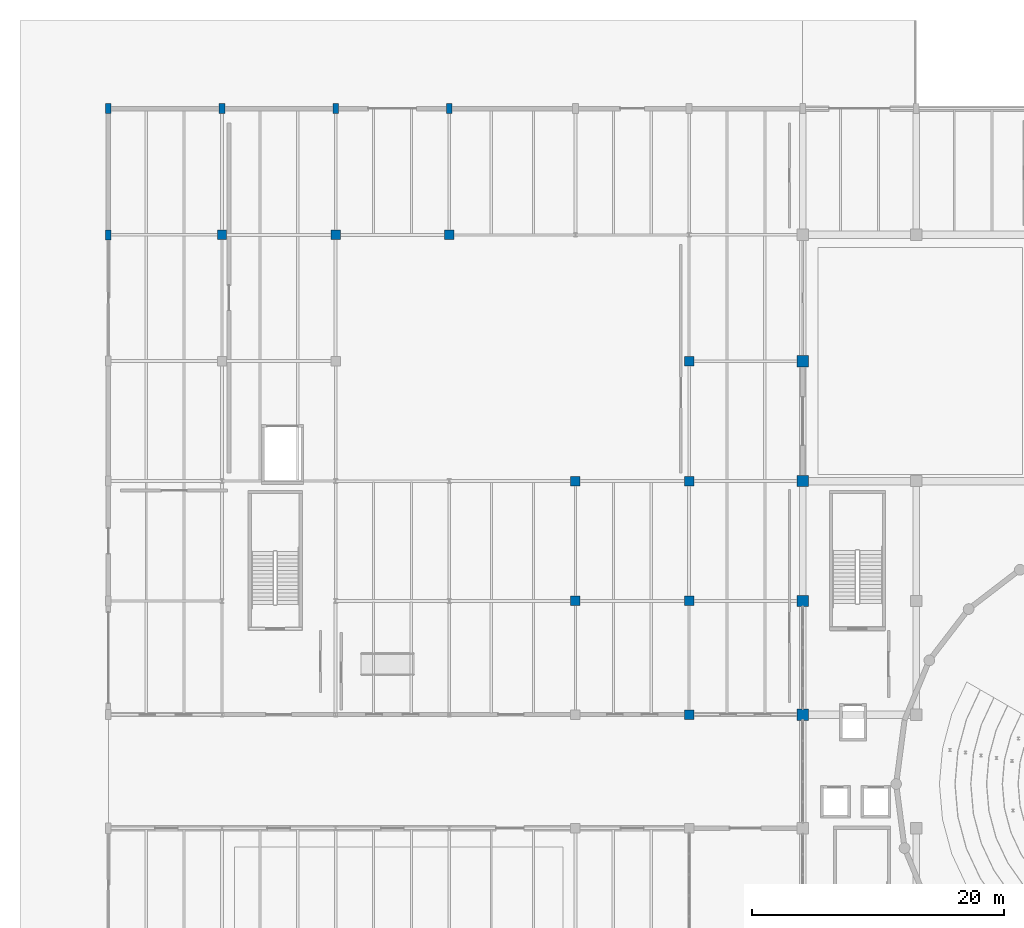
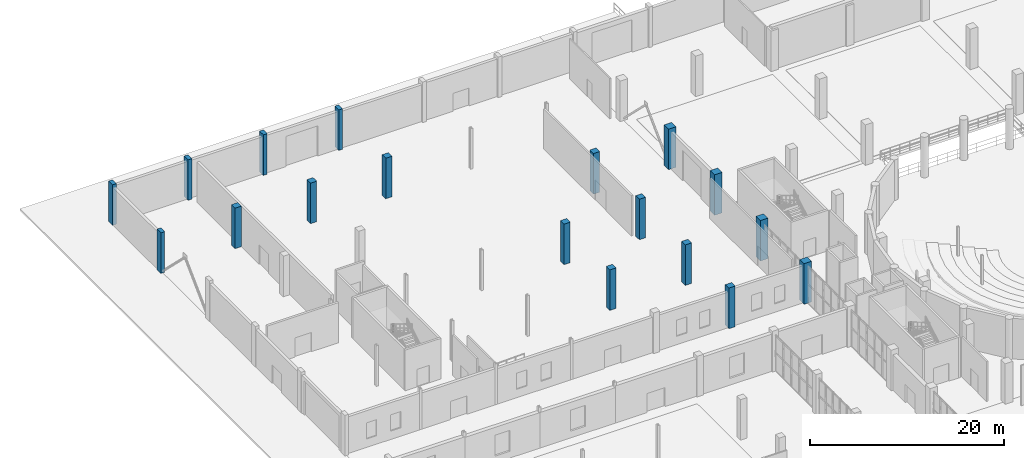
# One storey, part 19 of 103: 18 columns.
"""IFC4 building model written with IfcOpenShell, lengths in metres."""

from ifc_helpers import new_model, si_unit, direction, frame, origin, origin_2d, place, context, subcontext, project, spatial, rectangle, extrude, material, material_profile, profile_set, type_object, element, save


model = new_model("IFC4")

# Units and contexts
model_context = context("Model", 3, precision=1e-05, world=origin(), true_north=direction((0.0, 1.0)))
body_context = subcontext(model_context, "Body", "Model", "MODEL_VIEW")
ifc_project = project(units=[si_unit("LENGTHUNIT", "METRE"), si_unit("AREAUNIT", "SQUARE_METRE"), si_unit("VOLUMEUNIT", "CUBIC_METRE"), si_unit("PLANEANGLEUNIT", "RADIAN"), si_unit("MASSUNIT", "GRAM", prefix="KILO")], contexts=[model_context])

# Site, building, storey
site_placement = place(None, origin())
site = spatial("IfcSite", under=ifc_project, at=site_placement, CompositionType="ELEMENT")
building_placement = place(site_placement, origin())
building = spatial("IfcBuilding", under=site, at=building_placement, Name="Marnock Terrace Opera House", CompositionType="ELEMENT")
storey_placement = place(building_placement, origin())
storey = spatial("IfcBuildingStorey", under=building, at=storey_placement, Name="L00", CompositionType="ELEMENT", Elevation=0.0)

# Columns
ifc_material_1 = material(Name="Concrete N40 (f'c = 40 MPa)", Category="concrete")
ifc_material_profile_1 = material_profile(ifc_material_1, rectangle(XDim=0.449951171875, YDim=0.800048828125, at=origin_2d()))
ifc_profile_set_1 = profile_set([ifc_material_profile_1], Name="Concrete N40 (f'c = 40 MPa)")
column_type_1 = type_object("IfcColumnType", Name="COL-PIL-800", PredefinedType="PILASTER", material=ifc_profile_set_1)
for number, where, z_axis, x_axis, name in (
    (1, (0.0, 104.0, 0.0), (0.0, 0.0, 1.0), (1.0, 0.0, 0.0), "L00 column at (0.0, 104.0)"),
    (2, (0.0, 114.0, 0.0), (0.0, 0.0, 1.0), (1.0, 0.0, 0.0), "L00 column at (0.0, 114.0)"),
    (3, (9.0, 114.0, 0.0), (0.0, 0.0, 1.0), (1.0, 0.0, 0.0), "L00 column at (9.0, 114.0)"),
    (4, (18.0, 114.0, 0.0), (0.0, 0.0, 1.0), (1.0, 0.0, 0.0), "L00 column at (18.0, 114.0)"),
    (5, (27.0, 114.0, 0.0), (0.0, 0.0, 1.0), (1.0, 0.0, 0.0), "L00 column at (27.0, 114.0)"),
):
    element("IfcColumn", number, at=place(storey_placement, frame(where, z_axis=z_axis, x_axis=x_axis)), inside=storey, type_object=column_type_1, Name=name, PredefinedType="PILASTER", context=body_context, shape_type="SweptSolid", body=[
        extrude(rectangle(XDim=0.449951171875, YDim=0.800048828125, at=origin_2d()), origin(), (0.0, 0.0, 1.0), 5.1201171875),
    ])
ifc_material_2 = material(Name="Concrete N50 (f'c = 50 MPa)", Category="concrete")
ifc_material_profile_2 = material_profile(ifc_material_2, rectangle(XDim=0.75, YDim=0.75, at=origin_2d()))
ifc_profile_set_2 = profile_set([ifc_material_profile_2], Name="Concrete N50 (f'c = 50 MPa)")
column_type_2 = type_object("IfcColumnType", Name="COL-RC750", PredefinedType="COLUMN", material=ifc_profile_set_2)
for number, where, z_axis, x_axis, name in (
    (6, (9.0, 104.0, 0.0), (0.0, 0.0, 1.0), (1.0, 0.0, 0.0), "L00 column at (9.0, 104.0)"),
    (7, (18.0, 104.0, 0.0), (0.0, 0.0, 1.0), (1.0, 0.0, 0.0), "L00 column at (18.0, 104.0)"),
    (8, (27.0, 104.0, 0.0), (0.0, 0.0, 1.0), (1.0, 0.0, 0.0), "L00 column at (27.0, 104.0)"),
    (9, (37.0, 75.0, 0.0), (0.0, 0.0, 1.0), (1.0, 0.0, 0.0), "L00 column at (37.0, 75.0)"),
    (10, (37.0, 84.5, 0.0), (0.0, 0.0, 1.0), (1.0, 0.0, 0.0), "L00 column at (37.0, 84.5)"),
    (11, (46.0, 66.0, 0.0), (0.0, 0.0, 1.0), (1.0, 0.0, 0.0), "L00 column at (46.0, 66.0)"),
    (12, (46.0, 75.0, 0.0), (0.0, 0.0, 1.0), (1.0, 0.0, 0.0), "L00 column at (46.0, 75.0)"),
    (13, (46.0, 84.5, 0.0), (0.0, 0.0, 1.0), (1.0, 0.0, 0.0), "L00 column at (46.0, 84.5)"),
    (14, (46.0, 94.0, 0.0), (0.0, 0.0, 1.0), (1.0, 0.0, 0.0), "L00 column at (46.0, 94.0)"),
):
    element("IfcColumn", number, at=place(storey_placement, frame(where, z_axis=z_axis, x_axis=x_axis)), inside=storey, type_object=column_type_2, Name=name, PredefinedType="COLUMN", context=body_context, shape_type="SweptSolid", body=[
        extrude(rectangle(XDim=0.75, YDim=0.75, at=origin_2d()), origin(), (0.0, 0.0, 1.0), 5.1201171875),
    ])
ifc_material_profile_3 = material_profile(ifc_material_2, rectangle(XDim=0.89990234375, YDim=0.89990234375, at=origin_2d()))
ifc_profile_set_3 = profile_set([ifc_material_profile_3], Name="Concrete N50 (f'c = 50 MPa)")
column_type_3 = type_object("IfcColumnType", Name="COL-RC900", PredefinedType="COLUMN", material=ifc_profile_set_3)
for number, where, z_axis, x_axis, name in (
    (15, (55.0, 66.0, 0.0), (0.0, 0.0, 1.0), (1.0, 0.0, 0.0), "L00 column at (55.0, 66.0)"),
    (16, (55.0, 75.0, 0.0), (0.0, 0.0, 1.0), (1.0, 0.0, 0.0), "L00 column at (55.0, 75.0)"),
    (17, (55.0, 84.5, 0.0), (0.0, 0.0, 1.0), (1.0, 0.0, 0.0), "L00 column at (55.0, 84.5)"),
    (18, (55.0, 94.0, 0.0), (0.0, 0.0, 1.0), (1.0, 0.0, 0.0), "L00 column at (55.0, 94.0)"),
):
    element("IfcColumn", number, at=place(storey_placement, frame(where, z_axis=z_axis, x_axis=x_axis)), inside=storey, type_object=column_type_3, Name=name, PredefinedType="COLUMN", context=body_context, shape_type="SweptSolid", body=[
        extrude(rectangle(XDim=0.89990234375, YDim=0.89990234375, at=origin_2d()), origin(), (0.0, 0.0, 1.0), 5.1201171875),
    ])

save(model, "model.ifc")
